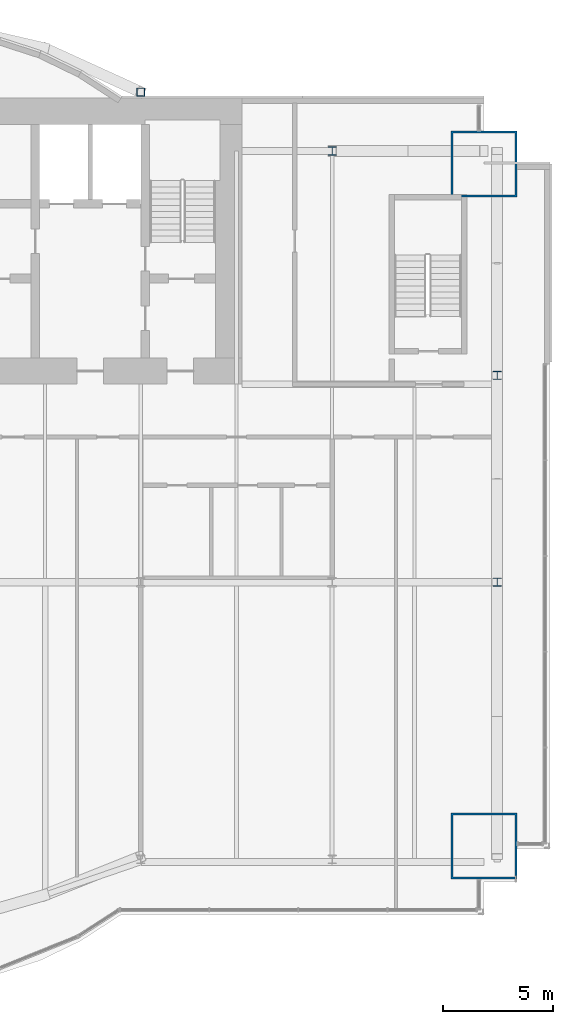
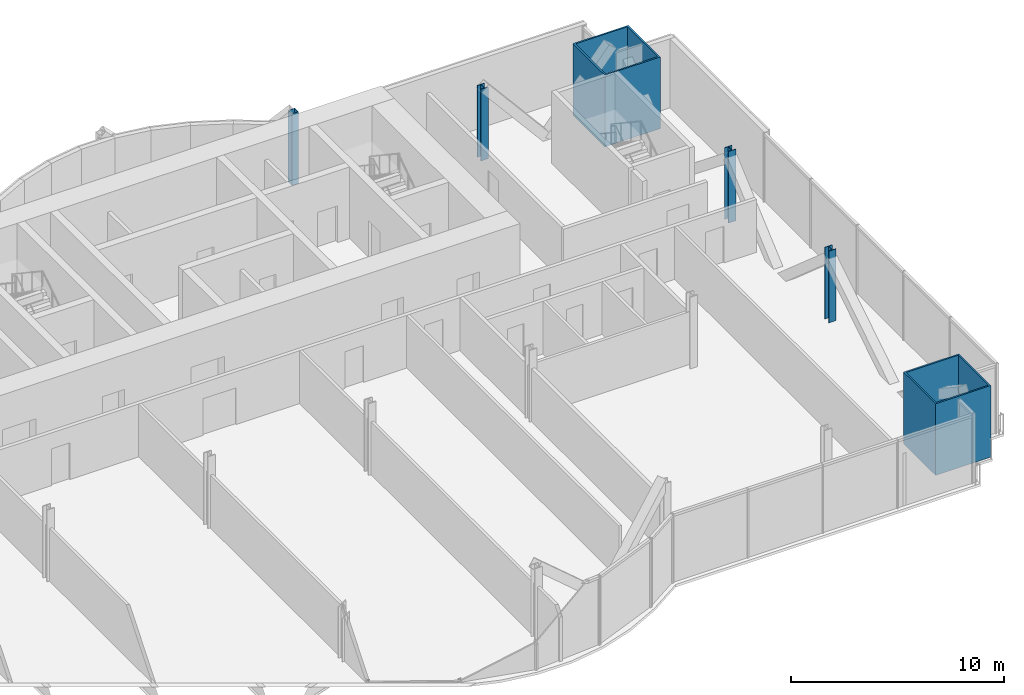
# One storey, part 3 of 21: 6 columns.
"""IFC4 building model written with IfcOpenShell, lengths in metres."""

import ifcopenshell
import ifcopenshell.guid

model = None  # the IFC model being written
_history = None  # IfcOwnerHistory: only IFC2X3 demands one
_inside = {}  # id of a spatial element -> (the spatial element, [elements in it])
_under = {}  # id of a project, library or spatial element -> (it, [spatial elements below it])
_declared = {}  # id of a project -> (the project, [libraries it declares])
_typed = {}  # id of a type object -> (the type object, [elements of that type])
_made_of = {}  # id of a material, layer set ... -> (it, [elements and type objects made of it])


def new_model(schema):
    """Start an empty IFC model of exactly this schema.

    Asked for "IFC4X3", IfcOpenShell would pick the latest addendum, in which some entities
    have other attributes; the version numbers below select the first issue.
    IFC2X3 requires an IfcOwnerHistory on every rooted entity: one is made here for all.
    """
    global model, _history
    if schema == "IFC4X3":
        model = ifcopenshell.file(schema_version=(4, 3, 0, 0))
    else:
        model = ifcopenshell.file(schema=schema)
    _inside.clear()
    _under.clear()
    _declared.clear()
    _typed.clear()
    _made_of.clear()
    _history = None
    if model.schema == "IFC2X3":
        org = make("IfcOrganization", Name="unknown")
        user = make(
            "IfcPersonAndOrganization",
            ThePerson=make("IfcPerson", FamilyName="unknown"),
            TheOrganization=org,
        )
        app = make(
            "IfcApplication",
            ApplicationDeveloper=org,
            Version="unknown",
            ApplicationFullName="unknown",
            ApplicationIdentifier="unknown",
        )
        _history = make(
            "IfcOwnerHistory",
            OwningUser=user,
            OwningApplication=app,
            ChangeAction="ADDED",
            CreationDate=0,
        )
    return model


def make(cls, **values):
    """One entity of the class cls with the attributes given. An attribute that is None is left unset."""
    return model.create_entity(
        cls, **{name: value for name, value in values.items() if value is not None}
    )


def rooted(cls, **values):
    """An entity with a GlobalId (a new one), such as an element, a storey or a relation."""
    return make(cls, GlobalId=ifcopenshell.guid.new(), OwnerHistory=_history, **values)


def si_unit(unit_type, name, prefix=None):
    """IfcSIUnit, for example si_unit("LENGTHUNIT", "METRE", prefix="MILLI")."""
    return make("IfcSIUnit", UnitType=unit_type, Prefix=prefix, Name=name)


def assignment(units):
    """IfcUnitAssignment: the units of a project."""
    return None if units is None else make("IfcUnitAssignment", Units=units)


def point(xyz):
    """IfcCartesianPoint."""
    return None if xyz is None else make("IfcCartesianPoint", Coordinates=xyz)


def direction(xyz):
    """IfcDirection."""
    return None if xyz is None else make("IfcDirection", DirectionRatios=xyz)


def frame(location, z_axis=None, x_axis=None):
    """IfcAxis2Placement3D, a coordinate frame: its origin and axes. An axis left out is left unset."""
    return make(
        "IfcAxis2Placement3D",
        Location=point(location),
        Axis=direction(z_axis),
        RefDirection=direction(x_axis),
    )


def frame_2d(location, x_axis=None):
    """IfcAxis2Placement2D, a coordinate frame in the plane: its origin and x axis."""
    return make(
        "IfcAxis2Placement2D", Location=point(location), RefDirection=direction(x_axis)
    )


def origin():
    """The frame at (0, 0, 0) with its axes left unset."""
    return frame((0.0, 0.0, 0.0))


def origin_2d():
    """The frame at (0, 0) in the plane with its x axis left unset."""
    return frame_2d((0.0, 0.0))


def place(relative_to, where):
    """IfcLocalPlacement: puts the frame where relative to a parent placement (None: the world)."""
    return make(
        "IfcLocalPlacement", PlacementRelTo=relative_to, RelativePlacement=where
    )


def context(
    kind, dimensions, precision=None, world=None, true_north=None, identifier=None
):
    """IfcGeometricRepresentationContext, for example the 3D "Model" context."""
    return make(
        "IfcGeometricRepresentationContext",
        ContextIdentifier=identifier,
        ContextType=kind,
        CoordinateSpaceDimension=dimensions,
        Precision=precision,
        WorldCoordinateSystem=world,
        TrueNorth=true_north,
    )


def subcontext(parent, identifier, kind, view, scale=None):
    """IfcGeometricRepresentationSubContext, for example "Body" below "Model"."""
    return make(
        "IfcGeometricRepresentationSubContext",
        ContextIdentifier=identifier,
        ContextType=kind,
        ParentContext=parent,
        TargetScale=scale,
        TargetView=view,
    )


def project(units=None, contexts=None):
    """IfcProject with its units and contexts."""
    return rooted(
        "IfcProject",
        Name="project",
        RepresentationContexts=contexts,
        UnitsInContext=assignment(units),
    )


def spatial(cls, under=None, at=None, **own):
    """A site, building, storey or space (cls), placed at a placement, below another one or the project."""
    s = rooted(cls, ObjectPlacement=at, **own)
    if under is not None:
        _under.setdefault(under.id(), (under, []))[1].append(s)
    return s


def profile(cls, at=None, kind="AREA", **sizes):
    """A parametric profile (cls). Its sizes go by their IFC names, for example OverallWidth=200.0."""
    return make(cls, ProfileType=kind, Position=at, **sizes)


def hollow_rectangle(**sizes):
    """IfcRectangleHollowProfileDef."""
    return profile("IfcRectangleHollowProfileDef", **sizes)


def i_section(**sizes):
    """IfcIShapeProfileDef."""
    return profile("IfcIShapeProfileDef", **sizes)


def extrude(swept, where, along, depth):
    """IfcExtrudedAreaSolid: the profile swept, set in the frame where, extruded along a direction by depth."""
    return make(
        "IfcExtrudedAreaSolid",
        SweptArea=swept,
        Position=where,
        ExtrudedDirection=direction(along),
        Depth=depth,
    )


def shape(context_of_items, identifier, shape_type, items):
    """IfcShapeRepresentation: the items that make up one representation, for example the "Body"."""
    return make(
        "IfcShapeRepresentation",
        ContextOfItems=context_of_items,
        RepresentationIdentifier=identifier,
        RepresentationType=shape_type,
        Items=items,
    )


def material(Name=None, Category=None):
    """IfcMaterial."""
    return make("IfcMaterial", Name=Name, Category=Category)


def material_profile(
    of_material, cross_section, Name=None, Category=None, Priority=None
):
    """IfcMaterialProfile: a cross section and its material."""
    return make(
        "IfcMaterialProfile",
        Name=Name,
        Material=of_material,
        Profile=cross_section,
        Priority=Priority,
        Category=Category,
    )


def profile_set(profiles, Name=None, composite=None):
    """IfcMaterialProfileSet."""
    return make(
        "IfcMaterialProfileSet",
        Name=Name,
        MaterialProfiles=profiles,
        CompositeProfile=composite,
    )


def made_of(thing, what):
    """Note that an element or type object is made of a material, layer set ...; save() writes the relation."""
    if what is not None:
        _made_of.setdefault(what.id(), (what, []))[1].append(thing)
    return thing


def type_object(cls, material=None, **own):
    """A type object (cls), such as IfcWallType, which elements share."""
    return made_of(rooted(cls, **own), material)


def element(
    cls,
    number,
    at=None,
    inside=None,
    cuts=None,
    type_object=None,
    material=None,
    context=None,
    identifier="Body",
    shape_type=None,
    held_by="IfcProductDefinitionShape",
    body=None,
    shapes=None,
    **own,
):
    """One element of the class cls, such as IfcWall. Its Tag is "e" and its number.

    at: its placement. inside: the storey or other place that contains it. cuts: it is an
    opening in that element (IfcRelVoidsElement). A single representation is given by context,
    identifier, shape_type and body (its items); several are given by shapes. held_by: the class
    of the entity that holds the representations. save() writes the other relations.
    """
    e = rooted(cls, Tag="e%d" % number, ObjectPlacement=at, **own)
    if body is not None:
        shapes = [shape(context, identifier, shape_type, body)]
    if shapes is not None:
        e.Representation = make(held_by, Representations=shapes)
    if inside is not None:
        _inside.setdefault(inside.id(), (inside, []))[1].append(e)
    if cuts is not None:
        rooted(
            "IfcRelVoidsElement", RelatingBuildingElement=cuts, RelatedOpeningElement=e
        )
    if type_object is not None:
        _typed.setdefault(type_object.id(), (type_object, []))[1].append(e)
    return made_of(e, material)


def aggregate(whole, parts):
    """IfcRelAggregates: a whole, such as a stair, and the parts it consists of."""
    return rooted("IfcRelAggregates", RelatingObject=whole, RelatedObjects=parts)


def save(model, path):
    """Write the relations noted so far, then the file.

    IfcRelAggregates (storeys below a building ...), IfcRelContainedInSpatialStructure (elements
    in a storey), IfcRelDefinesByType, IfcRelAssociatesMaterial and IfcRelDeclares: one each for
    every whole, place, type object, material and project.
    """
    for whole, parts in _under.values():
        aggregate(whole, parts)
    for where, things in _inside.values():
        rooted(
            "IfcRelContainedInSpatialStructure",
            RelatedElements=things,
            RelatingStructure=where,
        )
    for kind, things in _typed.values():
        rooted("IfcRelDefinesByType", RelatedObjects=things, RelatingType=kind)
    for what, things in _made_of.values():
        rooted("IfcRelAssociatesMaterial", RelatedObjects=things, RelatingMaterial=what)
    for by, libraries in _declared.values():
        rooted("IfcRelDeclares", RelatingContext=by, RelatedDefinitions=libraries)
    model.write(path)


model = new_model("IFC4")

# Units and contexts
model_context = context("Model", 3, precision=1e-05, world=origin(), true_north=direction((0.0, 1.0)))
body_context = subcontext(model_context, "Body", "Model", "MODEL_VIEW")
ifc_project = project(units=[si_unit("LENGTHUNIT", "METRE"), si_unit("AREAUNIT", "SQUARE_METRE"), si_unit("VOLUMEUNIT", "CUBIC_METRE"), si_unit("PLANEANGLEUNIT", "RADIAN"), si_unit("MASSUNIT", "GRAM", prefix="KILO")], contexts=[model_context])

# Site, building, storey
site_placement = place(None, origin())
site = spatial("IfcSite", under=ifc_project, at=site_placement, CompositionType="ELEMENT")
building_placement = place(site_placement, origin())
building = spatial("IfcBuilding", under=site, at=building_placement, Name="Bicima Exchange Tower", CompositionType="ELEMENT")
storey_placement = place(building_placement, frame((0.0, 0.0, 122.699951171875)))
storey = spatial("IfcBuildingStorey", under=building, at=storey_placement, Name="L26", CompositionType="ELEMENT", Elevation=122.699951171875)

# Columns
ifc_material_1 = material(Name="Steel ASTM A572 Gr 50", Category="steel")
ifc_material_profile_1 = material_profile(ifc_material_1, hollow_rectangle(XDim=3.0, YDim=3.0, WallThickness=0.090087890625, at=origin_2d()))
ifc_profile_set_1 = profile_set([ifc_material_profile_1], Name="Steel ASTM A572 Gr 50")
column_type_1 = type_object("IfcColumnType", Name="Mega column BOX 3000x3000x90", PredefinedType="COLUMN", material=ifc_profile_set_1)
for number, where, z_axis, x_axis, name in (
    (1, (33.0, -33.998046875, 0.0), (0.0, 0.0, 1.0), (1.0, 0.0, 0.0), "Mega column mega+33.0f"),
    (2, (33.0, -3.0, 0.0), (0.0, 0.0, 1.0), (1.0, 0.0, 0.0), "Mega column mega+33.0r"),
):
    element("IfcColumn", number, at=place(storey_placement, frame(where, z_axis=z_axis, x_axis=x_axis)), inside=storey, type_object=column_type_1, Name=name, PredefinedType="COLUMN", context=body_context, shape_type="SweptSolid", body=[
        extrude(hollow_rectangle(XDim=3.0, YDim=3.0, WallThickness=0.090087890625, at=origin_2d()), origin(), (0.0, 0.0, 1.0), 4.10009765625),
    ])
ifc_material_2 = material(Name="Steel ASTM A992 Gr 50", Category="steel")
ifc_material_profile_2 = material_profile(ifc_material_2, i_section(OverallWidth=0.398681640625, OverallDepth=0.393798828125, WebThickness=0.022705078125, FlangeThickness=0.03662109375, at=origin_2d()))
ifc_profile_set_2 = profile_set([ifc_material_profile_2], Name="Steel ASTM A992 Gr 50")
column_type_2 = type_object("IfcColumnType", Name="Perimeter column W14x193", PredefinedType="COLUMN", material=ifc_profile_set_2)
for number, where, z_axis, x_axis, name in (
    (3, (26.10009765625, -2.39990234375, 0.0), (0.0, 0.0, 1.0), (1.0, 0.0, 0.0), "Perimeter column grav+26.1r"),
    (4, (33.60009765625, -12.60009765625, 0.0), (0.0, 0.0, 1.0), (1.0, 0.0, 0.0), "End column end+33.6e"),
    (5, (33.60009765625, -22.0, 0.0), (0.0, 0.0, 1.0), (1.0, 0.0, 0.0), "End column end+33.6e"),
):
    element("IfcColumn", number, at=place(storey_placement, frame(where, z_axis=z_axis, x_axis=x_axis)), inside=storey, type_object=column_type_2, Name=name, PredefinedType="COLUMN", context=body_context, shape_type="SweptSolid", body=[
        extrude(i_section(OverallWidth=0.398681640625, OverallDepth=0.393798828125, WebThickness=0.022705078125, FlangeThickness=0.03662109375, at=origin_2d()), origin(), (0.0, 0.0, 1.0), 4.10009765625),
    ])
ifc_material_profile_3 = material_profile(ifc_material_1, hollow_rectangle(XDim=0.355712890625, YDim=0.355712890625, WallThickness=0.01171875, at=origin_2d()))
ifc_profile_set_3 = profile_set([ifc_material_profile_3], Name="Steel ASTM A572 Gr 50")
column_type_3 = type_object("IfcColumnType", Name="Rear pilaster HSS14x14x1/2", PredefinedType="COLUMN", material=ifc_profile_set_3)
column_placement = place(storey_placement, frame((17.39990234375, 0.278076171875, 0.0), z_axis=(0.0, 0.0, 1.0), x_axis=(1.0, 0.0, 0.0)))
element("IfcColumn", 6, at=column_placement, inside=storey, type_object=column_type_3, Name="Rear pilaster rexo+17.4r", PredefinedType="COLUMN", context=body_context, shape_type="SweptSolid", body=[
    extrude(hollow_rectangle(XDim=0.355712890625, YDim=0.355712890625, WallThickness=0.01171875, at=origin_2d()), origin(), (0.0, 0.0, 1.0), 4.10009765625),
])

save(model, "model.ifc")
